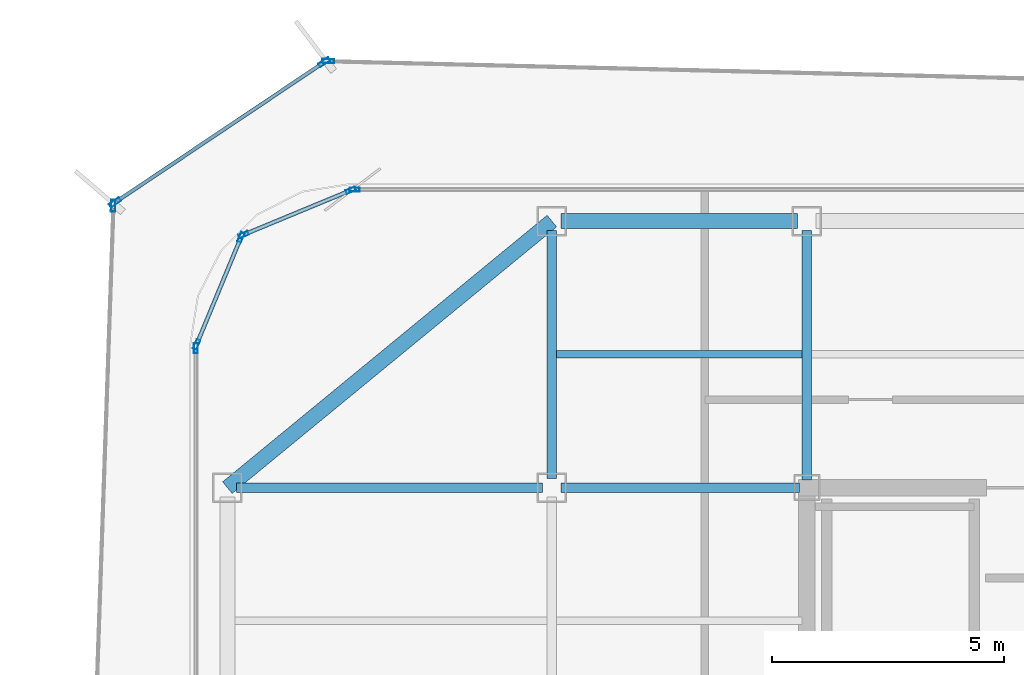
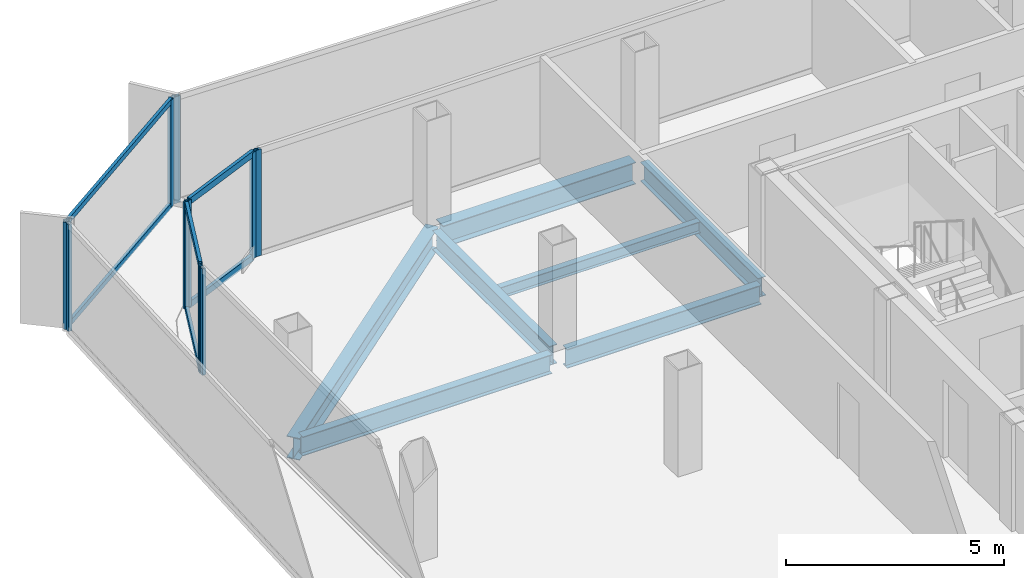
# One storey, part 6 of 15: 16 members, 7 beams, 7 elements without a shape of their own.
"""IFC4 building model written with IfcOpenShell, lengths in metres."""

from ifc_helpers import new_model, si_unit, direction, frame, origin, origin_2d, place, context, subcontext, project, spatial, hollow_rectangle, i_section, extrude, source, transform, mapped, material, layer, layer_set, material_profile, profile_set, type_object, element, aggregate, save


model = new_model("IFC4")

# Units and contexts
model_context = context("Model", 3, precision=1e-05, world=origin(), true_north=direction((0.0, 1.0)))
body_context = subcontext(model_context, "Body", "Model", "MODEL_VIEW")
ifc_project = project(units=[si_unit("LENGTHUNIT", "METRE"), si_unit("AREAUNIT", "SQUARE_METRE"), si_unit("VOLUMEUNIT", "CUBIC_METRE"), si_unit("PLANEANGLEUNIT", "RADIAN"), si_unit("MASSUNIT", "GRAM", prefix="KILO")], contexts=[model_context])

# Site, building, storey
site_placement = place(None, origin())
site = spatial("IfcSite", under=ifc_project, at=site_placement, CompositionType="ELEMENT")
building_placement = place(site_placement, origin())
building = spatial("IfcBuilding", under=site, at=building_placement, Name="Kolveth Station Tower", CompositionType="ELEMENT")
storey_placement = place(building_placement, frame((0.0, 0.0, 264.89990234375)))
storey = spatial("IfcBuildingStorey", under=building, at=storey_placement, Name="L76", CompositionType="ELEMENT", Elevation=264.89990234375)

# Beams
ifc_material_1 = material(Name="Steel S355", Category="steel")
ifc_material_profile_1 = material_profile(ifc_material_1, i_section(OverallWidth=0.323974609375, OverallDepth=0.611083984375, WebThickness=0.0126953125, FlangeThickness=0.01904296875, at=origin_2d()), Name="W610x155")
ifc_profile_set_1 = profile_set([ifc_material_profile_1], Name="Steel S355")
beam_type_1 = type_object("IfcBeamType", Name="Beam_SP2", PredefinedType="SPANDREL", material=ifc_profile_set_1)
shared_shape_1 = source(origin(), body_context, "Body", "SweptSolid", [
    extrude(i_section(OverallWidth=0.323974609375, OverallDepth=0.611083984375, WebThickness=0.0126953125, FlangeThickness=0.01904296875, at=origin_2d()), origin(), (0.0, 0.0, 1.0), 9.058837890625),
])
beam_1_placement = place(storey_placement, frame((13.0, 34.5, -0.525390625), z_axis=(-0.772726254525, -0.63473942336, 0.0), x_axis=(0.63473942336, -0.772726254525, 0.0)))
element("IfcBeam", 1, at=beam_1_placement, inside=storey, type_object=beam_type_1, Name="L76 Corner Edge Girder BM-L76-CNR-NW", PredefinedType="SPANDREL", context=body_context, shape_type="MappedRepresentation", body=[
    mapped(shared_shape_1, transform((0.0, 0.0, 0.0), x_axis=(1.0, 0.0, 0.0), y_axis=(0.0, 1.0, 0.0), z_axis=(0.0, 0.0, 1.0), scale=1.0)),
])
shared_shape_2 = source(origin(), body_context, "Body", "SweptSolid", [
    extrude(i_section(OverallWidth=0.323974609375, OverallDepth=0.611083984375, WebThickness=0.0126953125, FlangeThickness=0.01904296875, at=origin_2d()), origin(), (0.0, 0.0, 1.0), 5.10009765625),
])
beam_2_placement = place(storey_placement, frame((13.199951171875, 34.5, -0.525390625), z_axis=(1.0, 0.0, 0.0), x_axis=(0.0, 1.0, 0.0)))
element("IfcBeam", 2, at=beam_2_placement, inside=storey, type_object=beam_type_1, Name="L76 Perimeter Spandrel BM-L76-PN-1", PredefinedType="SPANDREL", context=body_context, shape_type="MappedRepresentation", body=[
    mapped(shared_shape_2, transform((0.0, 0.0, 0.0), x_axis=(1.0, 0.0, 0.0), y_axis=(0.0, 1.0, 0.0), z_axis=(0.0, 0.0, 1.0), scale=1.0)),
])
ifc_material_profile_2 = material_profile(ifc_material_1, i_section(OverallWidth=0.2099609375, OverallDepth=0.537109375, WebThickness=0.010986328125, FlangeThickness=0.017333984375, at=origin_2d()), Name="W530x101")
ifc_profile_set_2 = profile_set([ifc_material_profile_2], Name="Steel S355")
beam_type_2 = type_object("IfcBeamType", Name="Beam_B6", PredefinedType="BEAM", material=ifc_profile_set_2)
shared_shape_3 = source(origin(), body_context, "Body", "SweptSolid", [
    extrude(i_section(OverallWidth=0.2099609375, OverallDepth=0.537109375, WebThickness=0.010986328125, FlangeThickness=0.017333984375, at=origin_2d()), origin(), (0.0, 0.0, 1.0), 6.60009765625),
])
beam_3_placement = place(storey_placement, frame((6.199951171875, 28.75, -0.48828125), z_axis=(1.0, 0.0, 0.0), x_axis=(0.0, 1.0, 0.0)))
element("IfcBeam", 3, at=beam_3_placement, inside=storey, type_object=beam_type_2, Name="L76 Primary Girder BM-L76-GY287-1", PredefinedType="BEAM", context=body_context, shape_type="MappedRepresentation", body=[
    mapped(shared_shape_3, transform((0.0, 0.0, 0.0), x_axis=(1.0, 0.0, 0.0), y_axis=(0.0, 1.0, 0.0), z_axis=(0.0, 0.0, 1.0), scale=1.0)),
])
shared_shape_4 = source(origin(), body_context, "Body", "SweptSolid", [
    extrude(i_section(OverallWidth=0.2099609375, OverallDepth=0.537109375, WebThickness=0.010986328125, FlangeThickness=0.017333984375, at=origin_2d()), origin(), (0.0, 0.0, 1.0), 5.14013671875),
])
beam_4_placement = place(storey_placement, frame((13.199951171875, 28.75, -0.48828125), z_axis=(1.0, 0.0, 0.0), x_axis=(0.0, 1.0, 0.0)))
element("IfcBeam", 4, at=beam_4_placement, inside=storey, type_object=beam_type_2, Name="L76 Primary Girder BM-L76-GY287-2", PredefinedType="BEAM", context=body_context, shape_type="MappedRepresentation", body=[
    mapped(shared_shape_4, transform((0.0, 0.0, 0.0), x_axis=(1.0, 0.0, 0.0), y_axis=(0.0, 1.0, 0.0), z_axis=(0.0, 0.0, 1.0), scale=1.0)),
])
shared_shape_5 = source(origin(), body_context, "Body", "SweptSolid", [
    extrude(i_section(OverallWidth=0.2099609375, OverallDepth=0.537109375, WebThickness=0.010986328125, FlangeThickness=0.017333984375, at=origin_2d()), origin(), (0.0, 0.0, 1.0), 5.35009765625),
])
beam_5_placement = place(storey_placement, frame((13.0, 28.949951171875, -0.48828125), z_axis=(0.0, 1.0, 0.0), x_axis=(-1.0, 0.0, 0.0)))
element("IfcBeam", 5, at=beam_5_placement, inside=storey, type_object=beam_type_2, Name="L76 Primary Girder BM-L76-GX130-6", PredefinedType="BEAM", context=body_context, shape_type="MappedRepresentation", body=[
    mapped(shared_shape_5, transform((0.0, 0.0, 0.0), x_axis=(1.0, 0.0, 0.0), y_axis=(0.0, 1.0, 0.0), z_axis=(0.0, 0.0, 1.0), scale=1.0)),
])
shared_shape_6 = source(origin(), body_context, "Body", "SweptSolid", [
    extrude(i_section(OverallWidth=0.2099609375, OverallDepth=0.537109375, WebThickness=0.010986328125, FlangeThickness=0.017333984375, at=origin_2d()), origin(), (0.0, 0.0, 1.0), 5.39013671875),
])
beam_6_placement = place(storey_placement, frame((18.5, 28.909912109375, -0.48828125), z_axis=(0.0, 1.0, 0.0), x_axis=(-1.0, 0.0, 0.0)))
element("IfcBeam", 6, at=beam_6_placement, inside=storey, type_object=beam_type_2, Name="L76 Primary Girder BM-L76-GX185-6", PredefinedType="BEAM", context=body_context, shape_type="MappedRepresentation", body=[
    mapped(shared_shape_6, transform((0.0, 0.0, 0.0), x_axis=(1.0, 0.0, 0.0), y_axis=(0.0, 1.0, 0.0), z_axis=(0.0, 0.0, 1.0), scale=1.0)),
])
ifc_material_profile_3 = material_profile(ifc_material_1, i_section(OverallWidth=0.1650390625, OverallDepth=0.31005859375, WebThickness=0.005859375, FlangeThickness=0.009765625, at=origin_2d()), Name="W310x39")
ifc_profile_set_3 = profile_set([ifc_material_profile_3], Name="Steel S355")
beam_type_3 = type_object("IfcBeamType", Name="Beam_J3", PredefinedType="JOIST", material=ifc_profile_set_3)
shared_shape_7 = source(origin(), body_context, "Body", "SweptSolid", [
    extrude(i_section(OverallWidth=0.1650390625, OverallDepth=0.31005859375, WebThickness=0.005859375, FlangeThickness=0.009765625, at=origin_2d()), origin(), (0.0, 0.0, 1.0), 5.2939453125),
])
beam_7_placement = place(storey_placement, frame((13.10302734375, 31.625, -0.375), z_axis=(1.0, 0.0, 0.0), x_axis=(0.0, 1.0, 0.0)))
element("IfcBeam", 7, at=beam_7_placement, inside=storey, type_object=beam_type_3, Name="L76 Secondary Joist JST-L76-2-6", PredefinedType="JOIST", context=body_context, shape_type="MappedRepresentation", body=[
    mapped(shared_shape_7, transform((0.0, 0.0, 0.0), x_axis=(1.0, 0.0, 0.0), y_axis=(0.0, 1.0, 0.0), z_axis=(0.0, 0.0, 1.0), scale=1.0)),
])

# Curtain wall, member
ifc_material_2 = material(Name="Black anodized aluminium 6063-T6 and dark solar glass", Category="aluminium")
ifc_layer_1 = layer(ifc_material_2, 0.159912109375)
ifc_layer_set_1 = layer_set([ifc_layer_1], Name="Black anodized aluminium 6063-T6 and dark solar glass")
curtain_wall_type_1 = type_object("IfcCurtainWallType", Name="OUTER SKIN CW-OS", PredefinedType="NOTDEFINED", material=ifc_layer_set_1)
curtain_wall_1_placement = place(storey_placement, origin())
curtain_wall_1 = element("IfcCurtainWall", 8, at=curtain_wall_1_placement, inside=storey, type_object=curtain_wall_type_1, Name="L76 Outer Ventilated Skin Curtain Wall 4", PredefinedType="NOTDEFINED")
ifc_material_3 = material(Name="Black anodized aluminium 6063-T6", Category="aluminium")
ifc_material_profile_4 = material_profile(ifc_material_3, hollow_rectangle(XDim=0.090087890625, YDim=0.260009765625, WallThickness=0.0048828125, at=origin_2d()), Name="ALU-90x260x5")
ifc_profile_set_4 = profile_set([ifc_material_profile_4], Name="Black anodized aluminium 6063-T6")
member_type_1 = type_object("IfcMemberType", Name="FIN MULLION ML-OS", PredefinedType="MULLION", material=ifc_profile_set_4)
shared_shape_8 = source(origin(), body_context, "Body", "SweptSolid", [
    extrude(hollow_rectangle(XDim=0.090087890625, YDim=0.260009765625, WallThickness=0.0048828125, at=origin_2d()), origin(), (0.0, 0.0, 1.0), 2.989990234375),
])
member_1_placement = place(storey_placement, frame((8.171142578125, 37.952880859375, 0.0), z_axis=(0.0, 0.0, 1.0), x_axis=(-0.024427537189, -0.999701603193, 0.0)))
member_1 = element("IfcMember", 9, at=member_1_placement, type_object=member_type_1, Name="CW-OS mullion 2", PredefinedType="MULLION", context=body_context, shape_type="MappedRepresentation", body=[
    mapped(shared_shape_8, transform((0.0, 0.0, 0.0), x_axis=(1.0, 0.0, 0.0), y_axis=(0.0, 1.0, 0.0), z_axis=(0.0, 0.0, 1.0), scale=1.0)),
])
aggregate(curtain_wall_1, [member_1])

# Curtain wall, members
curtain_wall_2_placement = place(storey_placement, origin())
curtain_wall_2 = element("IfcCurtainWall", 10, at=curtain_wall_2_placement, inside=storey, type_object=curtain_wall_type_1, Name="L76 Outer Ventilated Skin Curtain Wall 5", PredefinedType="NOTDEFINED")
member_2_placement = place(storey_placement, frame((8.0888671875, 37.928955078125, 0.0), z_axis=(0.0, 0.0, 1.0), x_axis=(0.556924823187, -0.830562906298, 0.0)))
member_2 = element("IfcMember", 11, at=member_2_placement, type_object=member_type_1, Name="CW-OS mullion 1", PredefinedType="MULLION", context=body_context, shape_type="MappedRepresentation", body=[
    mapped(shared_shape_8, transform((0.0, 0.0, 0.0), x_axis=(1.0, 0.0, 0.0), y_axis=(0.0, 1.0, 0.0), z_axis=(0.0, 0.0, 1.0), scale=1.0)),
])
member_3_placement = place(storey_placement, frame((3.575439453125, 34.902587890625, 0.0), z_axis=(0.0, 0.0, 1.0), x_axis=(0.556924823187, -0.830562906298, 0.0)))
member_3 = element("IfcMember", 12, at=member_3_placement, type_object=member_type_1, Name="CW-OS mullion 2", PredefinedType="MULLION", context=body_context, shape_type="MappedRepresentation", body=[
    mapped(shared_shape_8, transform((0.0, 0.0, 0.0), x_axis=(1.0, 0.0, 0.0), y_axis=(0.0, 1.0, 0.0), z_axis=(0.0, 0.0, 1.0), scale=1.0)),
])

# Curtain wall, member
curtain_wall_3_placement = place(storey_placement, origin())
curtain_wall_3 = element("IfcCurtainWall", 13, at=curtain_wall_3_placement, inside=storey, type_object=curtain_wall_type_1, Name="L76 Outer Ventilated Skin Curtain Wall 6", PredefinedType="NOTDEFINED")
member_4_placement = place(storey_placement, frame((3.53662109375, 34.83251953125, 0.0), z_axis=(0.0, 0.0, 1.0), x_axis=(0.999402286129, -0.034569791444, 0.0)))
member_4 = element("IfcMember", 14, at=member_4_placement, type_object=member_type_1, Name="CW-OS mullion 1", PredefinedType="MULLION", context=body_context, shape_type="MappedRepresentation", body=[
    mapped(shared_shape_8, transform((0.0, 0.0, 0.0), x_axis=(1.0, 0.0, 0.0), y_axis=(0.0, 1.0, 0.0), z_axis=(0.0, 0.0, 1.0), scale=1.0)),
])
aggregate(curtain_wall_3, [member_4])

ifc_material_4 = material(Name="Aluminium 6063-T6 and triple low-E dark glass", Category="aluminium")
ifc_layer_2 = layer(ifc_material_4, 0.199951171875)
ifc_layer_set_2 = layer_set([ifc_layer_2], Name="Aluminium 6063-T6 and triple low-E dark glass")
curtain_wall_type_2 = type_object("IfcCurtainWallType", Name="CurtainWall_CW-Z3", PredefinedType="NOTDEFINED", material=ifc_layer_set_2)
curtain_wall_4_placement = place(storey_placement, origin())
curtain_wall_4 = element("IfcCurtainWall", 15, at=curtain_wall_4_placement, inside=storey, type_object=curtain_wall_type_2, Name="L76 Inner Thermal Curtain Wall 6", PredefinedType="NOTDEFINED")
ifc_material_profile_5 = material_profile(ifc_material_3, hollow_rectangle(XDim=0.0849609375, YDim=0.215087890625, WallThickness=0.0048828125, at=origin_2d()), Name="ALU-85x215x5")
ifc_profile_set_5 = profile_set([ifc_material_profile_5], Name="Black anodized aluminium 6063-T6")
member_type_2 = type_object("IfcMemberType", Name="Mullion_ML3", PredefinedType="MULLION", material=ifc_profile_set_5)
shared_shape_9 = source(origin(), body_context, "Body", "SweptSolid", [
    extrude(hollow_rectangle(XDim=0.0849609375, YDim=0.215087890625, WallThickness=0.0048828125, at=origin_2d()), origin(), (0.0, 0.0, 1.0), 2.97998046875),
])
member_5_placement = place(storey_placement, frame((8.742431640625, 35.179931640625, 0.0), z_axis=(0.0, 0.0, 1.0), x_axis=(0.0, -1.0, 0.0)))
member_5 = element("IfcMember", 16, at=member_5_placement, type_object=member_type_2, Name="CW-Z3 mullion 2", PredefinedType="MULLION", context=body_context, shape_type="MappedRepresentation", body=[
    mapped(shared_shape_9, transform((0.0, 0.0, 0.0), x_axis=(1.0, 0.0, 0.0), y_axis=(0.0, 1.0, 0.0), z_axis=(0.0, 0.0, 1.0), scale=1.0)),
])
aggregate(curtain_wall_4, [member_5])

# Curtain wall, members
curtain_wall_5_placement = place(storey_placement, origin())
curtain_wall_5 = element("IfcCurtainWall", 17, at=curtain_wall_5_placement, inside=storey, type_object=curtain_wall_type_2, Name="L76 Inner Thermal Curtain Wall 7", PredefinedType="NOTDEFINED")
member_6_placement = place(storey_placement, frame((8.66064453125, 35.163818359375, 0.0), z_axis=(0.0, 0.0, 1.0), x_axis=(0.382693194181, -0.923875488975, 0.0)))
member_6 = element("IfcMember", 18, at=member_6_placement, type_object=member_type_2, Name="CW-Z3 mullion 1", PredefinedType="MULLION", context=body_context, shape_type="MappedRepresentation", body=[
    mapped(shared_shape_9, transform((0.0, 0.0, 0.0), x_axis=(1.0, 0.0, 0.0), y_axis=(0.0, 1.0, 0.0), z_axis=(0.0, 0.0, 1.0), scale=1.0)),
])
member_7_placement = place(storey_placement, frame((6.349365234375, 34.206298828125, 0.0), z_axis=(0.0, 0.0, 1.0), x_axis=(0.382693194181, -0.923875488975, 0.0)))
member_7 = element("IfcMember", 19, at=member_7_placement, type_object=member_type_2, Name="CW-Z3 mullion 2", PredefinedType="MULLION", context=body_context, shape_type="MappedRepresentation", body=[
    mapped(shared_shape_9, transform((0.0, 0.0, 0.0), x_axis=(1.0, 0.0, 0.0), y_axis=(0.0, 1.0, 0.0), z_axis=(0.0, 0.0, 1.0), scale=1.0)),
])

curtain_wall_6_placement = place(storey_placement, origin())
curtain_wall_6 = element("IfcCurtainWall", 20, at=curtain_wall_6_placement, inside=storey, type_object=curtain_wall_type_2, Name="L76 Inner Thermal Curtain Wall 8", PredefinedType="NOTDEFINED")
member_8_placement = place(storey_placement, frame((6.293701171875, 34.150634765625, 0.0), z_axis=(0.0, 0.0, 1.0), x_axis=(0.923875488975, -0.382693194181, 0.0)))
member_8 = element("IfcMember", 21, at=member_8_placement, type_object=member_type_2, Name="CW-Z3 mullion 1", PredefinedType="MULLION", context=body_context, shape_type="MappedRepresentation", body=[
    mapped(shared_shape_9, transform((0.0, 0.0, 0.0), x_axis=(1.0, 0.0, 0.0), y_axis=(0.0, 1.0, 0.0), z_axis=(0.0, 0.0, 1.0), scale=1.0)),
])
member_9_placement = place(storey_placement, frame((5.336181640625, 31.83935546875, 0.0), z_axis=(0.0, 0.0, 1.0), x_axis=(0.923875488975, -0.382693194181, 0.0)))
member_9 = element("IfcMember", 22, at=member_9_placement, type_object=member_type_2, Name="CW-Z3 mullion 2", PredefinedType="MULLION", context=body_context, shape_type="MappedRepresentation", body=[
    mapped(shared_shape_9, transform((0.0, 0.0, 0.0), x_axis=(1.0, 0.0, 0.0), y_axis=(0.0, 1.0, 0.0), z_axis=(0.0, 0.0, 1.0), scale=1.0)),
])

# Curtain wall, member
curtain_wall_7_placement = place(storey_placement, origin())
curtain_wall_7 = element("IfcCurtainWall", 23, at=curtain_wall_7_placement, inside=storey, type_object=curtain_wall_type_2, Name="L76 Inner Thermal Curtain Wall 9", PredefinedType="NOTDEFINED")
member_10_placement = place(storey_placement, frame((5.320068359375, 31.757568359375, 0.0), z_axis=(0.0, 0.0, 1.0), x_axis=(1.0, 0.0, 0.0)))
member_10 = element("IfcMember", 24, at=member_10_placement, type_object=member_type_2, Name="CW-Z3 mullion 1", PredefinedType="MULLION", context=body_context, shape_type="MappedRepresentation", body=[
    mapped(shared_shape_9, transform((0.0, 0.0, 0.0), x_axis=(1.0, 0.0, 0.0), y_axis=(0.0, 1.0, 0.0), z_axis=(0.0, 0.0, 1.0), scale=1.0)),
])
aggregate(curtain_wall_7, [member_10])

# Member
ifc_material_profile_6 = material_profile(ifc_material_3, hollow_rectangle(XDim=0.0849609375, YDim=0.179931640625, WallThickness=0.0048828125, at=origin_2d()), Name="ALU-85x180x5")
ifc_profile_set_6 = profile_set([ifc_material_profile_6], Name="Black anodized aluminium 6063-T6")
member_type_3 = type_object("IfcMemberType", Name="Transom_TR3", PredefinedType="USERDEFINED", material=ifc_profile_set_6)
shared_shape_10 = source(origin(), body_context, "Body", "SweptSolid", [
    extrude(hollow_rectangle(XDim=0.0849609375, YDim=0.179931640625, WallThickness=0.0048828125, at=origin_2d()), origin(), (0.0, 0.0, 1.0), 2.417236328125),
])
member_11_placement = place(storey_placement, frame((8.62158203125, 35.1474609375, 0.04248046875), z_axis=(-0.923872799448, -0.382699687013, 0.0), x_axis=(0.382699687013, -0.923872799448, 0.0)))
member_11 = element("IfcMember", 25, at=member_11_placement, type_object=member_type_3, Name="CW-Z3 transom 1.1", ObjectType="TRANSOM", PredefinedType="USERDEFINED", context=body_context, shape_type="MappedRepresentation", body=[
    mapped(shared_shape_10, transform((0.0, 0.0, 0.0), x_axis=(1.0, 0.0, 0.0), y_axis=(0.0, 1.0, 0.0), z_axis=(0.0, 0.0, 1.0), scale=1.0)),
])

member_12_placement = place(storey_placement, frame((8.62158203125, 35.1474609375, 2.9375), z_axis=(-0.923872799448, -0.382699687013, 0.0), x_axis=(0.382699687013, -0.923872799448, 0.0)))
member_12 = element("IfcMember", 26, at=member_12_placement, type_object=member_type_3, Name="CW-Z3 transom 1.2", ObjectType="TRANSOM", PredefinedType="USERDEFINED", context=body_context, shape_type="MappedRepresentation", body=[
    mapped(shared_shape_10, transform((0.0, 0.0, 0.0), x_axis=(1.0, 0.0, 0.0), y_axis=(0.0, 1.0, 0.0), z_axis=(0.0, 0.0, 1.0), scale=1.0)),
])

aggregate(curtain_wall_5, [member_6, member_7, member_11, member_12])

member_13_placement = place(storey_placement, frame((6.277587890625, 34.111572265625, 0.04248046875), z_axis=(-0.382699687013, -0.923872799448, 0.0), x_axis=(0.923872799448, -0.382699687013, 0.0)))
member_13 = element("IfcMember", 27, at=member_13_placement, type_object=member_type_3, Name="CW-Z3 transom 1.1", ObjectType="TRANSOM", PredefinedType="USERDEFINED", context=body_context, shape_type="MappedRepresentation", body=[
    mapped(shared_shape_10, transform((0.0, 0.0, 0.0), x_axis=(1.0, 0.0, 0.0), y_axis=(0.0, 1.0, 0.0), z_axis=(0.0, 0.0, 1.0), scale=1.0)),
])

member_14_placement = place(storey_placement, frame((6.277587890625, 34.111572265625, 2.9375), z_axis=(-0.382699687013, -0.923872799448, 0.0), x_axis=(0.923872799448, -0.382699687013, 0.0)))
member_14 = element("IfcMember", 28, at=member_14_placement, type_object=member_type_3, Name="CW-Z3 transom 1.2", ObjectType="TRANSOM", PredefinedType="USERDEFINED", context=body_context, shape_type="MappedRepresentation", body=[
    mapped(shared_shape_10, transform((0.0, 0.0, 0.0), x_axis=(1.0, 0.0, 0.0), y_axis=(0.0, 1.0, 0.0), z_axis=(0.0, 0.0, 1.0), scale=1.0)),
])

aggregate(curtain_wall_6, [member_8, member_9, member_13, member_14])

ifc_material_profile_7 = material_profile(ifc_material_3, hollow_rectangle(XDim=0.080078125, YDim=0.14990234375, WallThickness=0.0048828125, at=origin_2d()), Name="ALU-80x150x5")
ifc_profile_set_7 = profile_set([ifc_material_profile_7], Name="Black anodized aluminium 6063-T6")
member_type_4 = type_object("IfcMemberType", Name="Transom_TR-OS", PredefinedType="USERDEFINED", material=ifc_profile_set_7)
shared_shape_11 = source(origin(), body_context, "Body", "SweptSolid", [
    extrude(hollow_rectangle(XDim=0.080078125, YDim=0.14990234375, WallThickness=0.0048828125, at=origin_2d()), origin(), (0.0, 0.0, 1.0), 5.343994140625),
])
member_15_placement = place(storey_placement, frame((8.051513671875, 37.90380859375, 0.0400390625), z_axis=(-0.830585508464, -0.55689111425, 0.0), x_axis=(0.55689111425, -0.830585508464, 0.0)))
member_15 = element("IfcMember", 29, at=member_15_placement, type_object=member_type_4, Name="CW-OS transom 1.1", ObjectType="TRANSOM", PredefinedType="USERDEFINED", context=body_context, shape_type="MappedRepresentation", body=[
    mapped(shared_shape_11, transform((0.0, 0.0, 0.0), x_axis=(1.0, 0.0, 0.0), y_axis=(0.0, 1.0, 0.0), z_axis=(0.0, 0.0, 1.0), scale=1.0)),
])

member_16_placement = place(storey_placement, frame((8.051513671875, 37.90380859375, 2.9501953125), z_axis=(-0.830585508464, -0.55689111425, 0.0), x_axis=(0.55689111425, -0.830585508464, 0.0)))
member_16 = element("IfcMember", 30, at=member_16_placement, type_object=member_type_4, Name="CW-OS transom 1.2", ObjectType="TRANSOM", PredefinedType="USERDEFINED", context=body_context, shape_type="MappedRepresentation", body=[
    mapped(shared_shape_11, transform((0.0, 0.0, 0.0), x_axis=(1.0, 0.0, 0.0), y_axis=(0.0, 1.0, 0.0), z_axis=(0.0, 0.0, 1.0), scale=1.0)),
])

aggregate(curtain_wall_2, [member_2, member_3, member_15, member_16])

save(model, "model.ifc")
